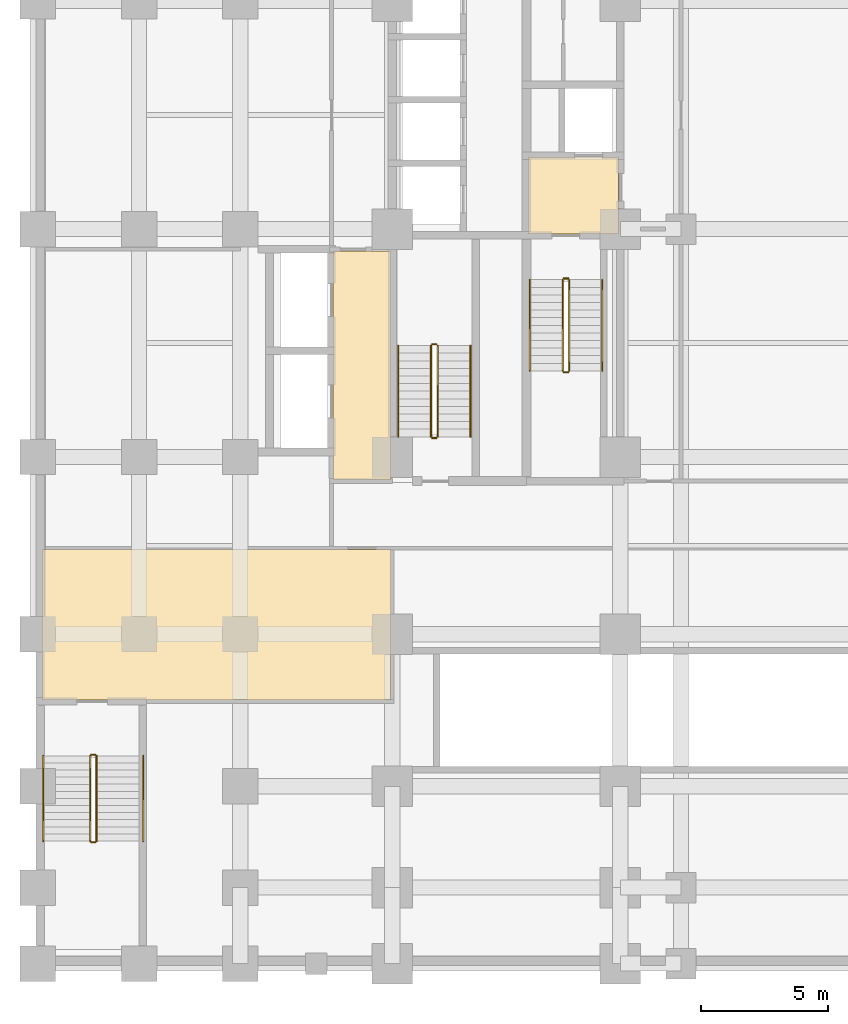
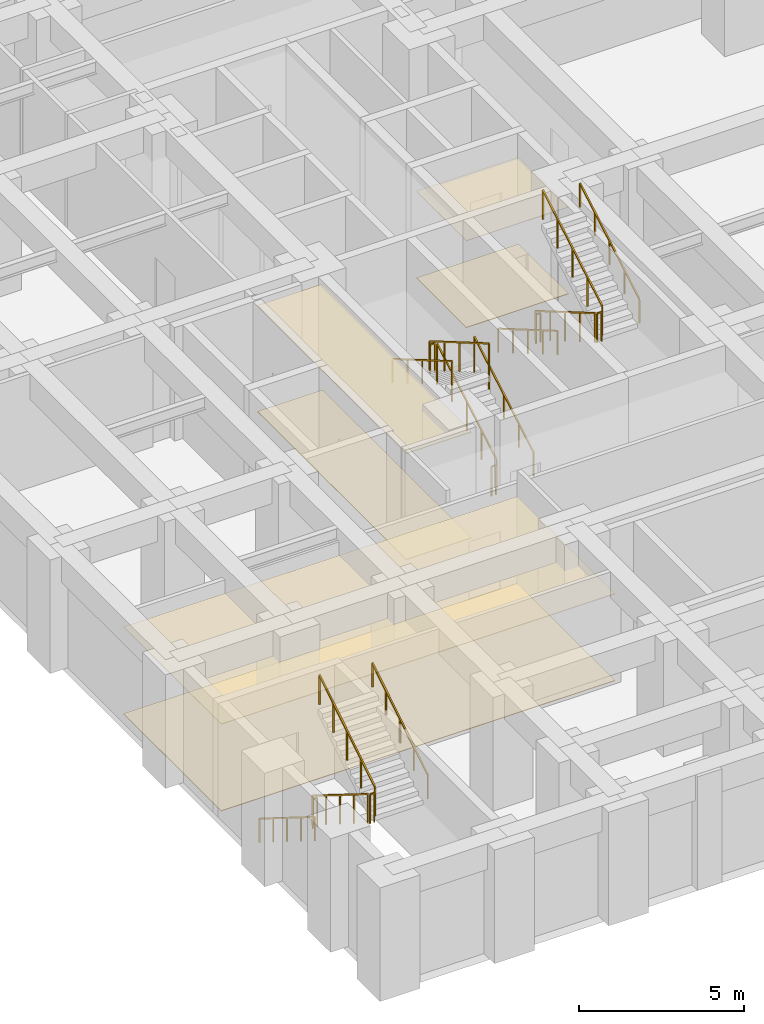
# One storey, part 9 of 14: 18 railings, 6 coverings.
"""IFC4 building model written with IfcOpenShell, lengths in metres."""

from ifc_helpers import new_model, si_unit, direction, frame, origin, origin_2d, place, context, subcontext, project, spatial, polyline, rectangle, outline, extrude, material, layer, layer_set, type_object, element, save


model = new_model("IFC4")

# Units and contexts
model_context = context("Model", 3, precision=1e-05, world=origin(), true_north=direction((0.0, 1.0)))
body_context = subcontext(model_context, "Body", "Model", "MODEL_VIEW")
ifc_project = project(units=[si_unit("LENGTHUNIT", "METRE"), si_unit("AREAUNIT", "SQUARE_METRE"), si_unit("VOLUMEUNIT", "CUBIC_METRE"), si_unit("PLANEANGLEUNIT", "RADIAN"), si_unit("MASSUNIT", "GRAM", prefix="KILO")], contexts=[model_context])

# Site, building, storey
site_placement = place(None, origin())
site = spatial("IfcSite", under=ifc_project, at=site_placement, CompositionType="ELEMENT")
building_placement = place(site_placement, origin())
building = spatial("IfcBuilding", under=site, at=building_placement, Name="Zulmaris Gate Convention Tower", CompositionType="ELEMENT")
storey_placement = place(building_placement, frame((0.0, 0.0, -4.550048828125)))
storey = spatial("IfcBuildingStorey", under=building, at=storey_placement, Name="B1", CompositionType="ELEMENT", Elevation=-4.550048828125)

# Coverings
ifc_material_1 = material(Name="Mineral Fibre Acoustic Ceiling Tile")
ifc_layer_1 = layer(ifc_material_1, 0.02001953125, Name="Mineral Fibre Acoustic Ceiling Tile")
ifc_layer_set_1 = layer_set([ifc_layer_1], Name="Mineral Fibre Acoustic Ceiling Tile")
covering_type_1 = type_object("IfcCoveringType", Name="CLG-ACOUSTIC-600", PredefinedType="CEILING", material=ifc_layer_set_1)
covering_1_placement = place(storey_placement, frame((0.0, 0.0, 3.2099609375)))
element("IfcCovering", 1, at=covering_1_placement, inside=storey, type_object=covering_type_1, Name="CLG-B1-R03", PredefinedType="CEILING", context=body_context, shape_type="SweptSolid", body=[
    extrude(outline(polyline([(-14.639892578125, -0.18994140625), (-11.06005859375, -0.18994140625), (-11.06005859375, 2.840087890625), (-14.639892578125, 2.840087890625), (-14.639892578125, -0.18994140625)])), origin(), (0.0, 0.0, 1.0), 0.02001953125),
])
covering_2_placement = place(storey_placement, frame((0.0, 0.0, 3.920166015625)))
element("IfcCovering", 2, at=covering_2_placement, inside=storey, type_object=covering_type_1, Name="CLG-B1-R25", PredefinedType="CEILING", context=body_context, shape_type="SweptSolid", body=[
    extrude(outline(polyline([(-22.340087890625, -9.889892578125), (-20.06005859375, -9.889892578125), (-20.06005859375, -0.860107421875), (-22.340087890625, -0.860107421875), (-22.340087890625, -9.889892578125)])), origin(), (0.0, 0.0, 1.0), 0.019775390625),
])
covering_3_placement = place(storey_placement, frame((0.0, 0.0, 3.2099609375)))
element("IfcCovering", 3, at=covering_3_placement, inside=storey, type_object=covering_type_1, Name="CLG-B1-R36", PredefinedType="CEILING", context=body_context, shape_type="SweptSolid", body=[
    extrude(outline(polyline([(-33.840087890625, -18.590087890625), (-20.06005859375, -18.590087890625), (-20.06005859375, -12.659912109375), (-33.840087890625, -12.659912109375), (-33.840087890625, -18.590087890625)])), origin(), (0.0, 0.0, 1.0), 0.02001953125),
])
ifc_material_2 = material(Name="Woven Acoustic Wool Carpet Tile")
ifc_layer_2 = layer(ifc_material_2, 0.02001953125, Name="Woven Acoustic Wool Carpet Tile")
ifc_layer_set_2 = layer_set([ifc_layer_2], Name="Woven Acoustic Wool Carpet Tile")
covering_type_2 = type_object("IfcCoveringType", Name="FLR-CARPET-12", PredefinedType="FLOORING", material=ifc_layer_set_2)
covering_4_placement = place(storey_placement, origin())
element("IfcCovering", 4, at=covering_4_placement, inside=storey, type_object=covering_type_2, Name="FLR-B1-R03", PredefinedType="FLOORING", context=body_context, shape_type="SweptSolid", body=[
    extrude(outline(polyline([(-14.639892578125, -0.18994140625), (-11.06005859375, -0.18994140625), (-11.06005859375, 2.840087890625), (-14.639892578125, 2.840087890625), (-14.639892578125, -0.18994140625)])), origin(), (0.0, 0.0, 1.0), 0.02001953125),
])
covering_5_placement = place(storey_placement, origin())
element("IfcCovering", 5, at=covering_5_placement, inside=storey, type_object=covering_type_2, Name="FLR-B1-R25", PredefinedType="FLOORING", context=body_context, shape_type="SweptSolid", body=[
    extrude(outline(polyline([(-22.340087890625, -9.889892578125), (-20.06005859375, -9.889892578125), (-20.06005859375, -0.860107421875), (-22.340087890625, -0.860107421875), (-22.340087890625, -9.889892578125)])), origin(), (0.0, 0.0, 1.0), 0.02001953125),
])
covering_6_placement = place(storey_placement, origin())
element("IfcCovering", 6, at=covering_6_placement, inside=storey, type_object=covering_type_2, Name="FLR-B1-R36", PredefinedType="FLOORING", context=body_context, shape_type="SweptSolid", body=[
    extrude(outline(polyline([(-33.840087890625, -18.590087890625), (-20.06005859375, -18.590087890625), (-20.06005859375, -12.659912109375), (-33.840087890625, -12.659912109375), (-33.840087890625, -18.590087890625)])), origin(), (0.0, 0.0, 1.0), 0.02001953125),
])

# Railings
ifc_material_3 = material(Name="Painted Galvanised Steel", Category="steel")
railing_type_1 = type_object("IfcRailingType", Name="RL-STG-1150", PredefinedType="GUARDRAIL", material=ifc_material_3)
railing_1_placement = place(storey_placement, frame((-13.27001953125, -2.0, 0.175048828125)))
element("IfcRailing", 7, at=railing_1_placement, inside=storey, type_object=railing_type_1, Name="B1 ST-1 stair guard 1", PredefinedType="GUARDRAIL", context=body_context, shape_type="SweptSolid", body=[
    extrude(rectangle(XDim=0.048095703125, YDim=0.048095703125, at=origin_2d()), frame((0.0, 0.0, 1.076171875), z_axis=(0.0, -0.863774651768, 0.503878309678), x_axis=(1.0, 0.0, 0.0)), (0.0, 0.0, 1.0), 4.16796875),
    extrude(rectangle(XDim=0.0419921875, YDim=0.0419921875, at=origin_2d()), origin(), (0.0, 0.0, 1.0), 1.052001953125),
    extrude(rectangle(XDim=0.0419921875, YDim=0.0419921875, at=origin_2d()), frame((0.0, -0.89990234375, 0.52490234375)), (0.0, 0.0, 1.0), 1.052001953125),
    extrude(rectangle(XDim=0.0419921875, YDim=0.0419921875, at=origin_2d()), frame((0.0, -1.800048828125, 1.050048828125)), (0.0, 0.0, 1.0), 1.052001953125),
    extrude(rectangle(XDim=0.0419921875, YDim=0.0419921875, at=origin_2d()), frame((0.0, -2.7001953125, 1.5751953125)), (0.0, 0.0, 1.0), 1.052001953125),
    extrude(rectangle(XDim=0.0419921875, YDim=0.0419921875, at=origin_2d()), frame((0.0, -3.60009765625, 2.10009765625)), (0.0, 0.0, 1.0), 1.052001953125),
])
railing_2_placement = place(storey_placement, frame((-13.219970703125, -5.64990234375, 2.275146484375)))
element("IfcRailing", 8, at=railing_2_placement, inside=storey, type_object=railing_type_1, Name="B1 ST-1 stair guard 2", PredefinedType="GUARDRAIL", context=body_context, shape_type="SweptSolid", body=[
    extrude(rectangle(XDim=0.048095703125, YDim=0.048095703125, at=origin_2d()), frame((0.0, 0.0, 1.076171875), z_axis=(1.0, 0.0, 0.0), x_axis=(0.0, 1.0, 0.0)), (0.0, 0.0, 1.0), 0.159912109375),
    extrude(rectangle(XDim=0.0419921875, YDim=0.0419921875, at=origin_2d()), origin(), (0.0, 0.0, 1.0), 1.052001953125),
    extrude(rectangle(XDim=0.0419921875, YDim=0.0419921875, at=origin_2d()), frame((0.159912109375, 0.0, 0.0)), (0.0, 0.0, 1.0), 1.052001953125),
])
railing_3_placement = place(storey_placement, frame((-13.010009765625, -5.60009765625, 2.449951171875)))
element("IfcRailing", 9, at=railing_3_placement, inside=storey, type_object=railing_type_1, Name="B1 ST-1 stair guard 3", PredefinedType="GUARDRAIL", context=body_context, shape_type="SweptSolid", body=[
    extrude(rectangle(XDim=0.048095703125, YDim=0.048095703125, at=origin_2d()), frame((0.0, 0.0, 1.076171875), z_axis=(0.0, 0.863774651768, 0.503878309678), x_axis=(-1.0, 0.0, 0.0)), (0.0, 0.0, 1.0), 4.16796875),
    extrude(rectangle(XDim=0.0419921875, YDim=0.0419921875, at=origin_2d()), origin(), (0.0, 0.0, 1.0), 1.052001953125),
    extrude(rectangle(XDim=0.0419921875, YDim=0.0419921875, at=origin_2d()), frame((0.0, 0.89990234375, 0.52490234375)), (0.0, 0.0, 1.0), 1.052001953125),
    extrude(rectangle(XDim=0.0419921875, YDim=0.0419921875, at=origin_2d()), frame((0.0, 1.800048828125, 1.050048828125)), (0.0, 0.0, 1.0), 1.052001953125),
    extrude(rectangle(XDim=0.0419921875, YDim=0.0419921875, at=origin_2d()), frame((0.0, 2.7001953125, 1.5751953125)), (0.0, 0.0, 1.0), 1.052001953125),
    extrude(rectangle(XDim=0.0419921875, YDim=0.0419921875, at=origin_2d()), frame((0.0, 3.60009765625, 2.10009765625)), (0.0, 0.0, 1.0), 1.052001953125),
])
railing_4_placement = place(storey_placement, frame((-13.219970703125, -1.949951171875, 0.0)))
element("IfcRailing", 10, at=railing_4_placement, inside=storey, type_object=railing_type_1, Name="B1 ST-1 stair guard 4", PredefinedType="GUARDRAIL", context=body_context, shape_type="SweptSolid", body=[
    extrude(rectangle(XDim=0.048095703125, YDim=0.048095703125, at=origin_2d()), frame((0.0, 0.0, 1.076171875), z_axis=(1.0, 0.0, 0.0), x_axis=(0.0, 1.0, 0.0)), (0.0, 0.0, 1.0), 0.159912109375),
    extrude(rectangle(XDim=0.0419921875, YDim=0.0419921875, at=origin_2d()), origin(), (0.0, 0.0, 1.0), 1.052001953125),
    extrude(rectangle(XDim=0.0419921875, YDim=0.0419921875, at=origin_2d()), frame((0.159912109375, 0.0, 0.0)), (0.0, 0.0, 1.0), 1.052001953125),
])
railing_5_placement = place(storey_placement, frame((-18.2099609375, -8.199951171875, 0.175048828125)))
element("IfcRailing", 11, at=railing_5_placement, inside=storey, type_object=railing_type_1, Name="B1 ST-3 stair guard 1", PredefinedType="GUARDRAIL", context=body_context, shape_type="SweptSolid", body=[
    extrude(rectangle(XDim=0.048095703125, YDim=0.048095703125, at=origin_2d()), frame((0.0, 0.0, 1.076171875), z_axis=(0.0, 0.863759778359, 0.503903805591), x_axis=(-1.0, 0.0, 0.0)), (0.0, 0.0, 1.0), 4.167724609375),
    extrude(rectangle(XDim=0.0419921875, YDim=0.0419921875, at=origin_2d()), origin(), (0.0, 0.0, 1.0), 1.052001953125),
    extrude(rectangle(XDim=0.0419921875, YDim=0.0419921875, at=origin_2d()), frame((0.0, 0.89990234375, 0.52490234375)), (0.0, 0.0, 1.0), 1.052001953125),
    extrude(rectangle(XDim=0.0419921875, YDim=0.0419921875, at=origin_2d()), frame((0.0, 1.7998046875, 1.050048828125)), (0.0, 0.0, 1.0), 1.052001953125),
    extrude(rectangle(XDim=0.0419921875, YDim=0.0419921875, at=origin_2d()), frame((0.0, 2.699951171875, 1.5751953125)), (0.0, 0.0, 1.0), 1.052001953125),
    extrude(rectangle(XDim=0.0419921875, YDim=0.0419921875, at=origin_2d()), frame((0.0, 3.599853515625, 2.10009765625)), (0.0, 0.0, 1.0), 1.052001953125),
])
railing_6_placement = place(storey_placement, frame((-18.260009765625, -4.550048828125, 2.275146484375)))
element("IfcRailing", 12, at=railing_6_placement, inside=storey, type_object=railing_type_1, Name="B1 ST-3 stair guard 2", PredefinedType="GUARDRAIL", context=body_context, shape_type="SweptSolid", body=[
    extrude(rectangle(XDim=0.048095703125, YDim=0.048095703125, at=origin_2d()), frame((0.0, 0.0, 1.076171875), z_axis=(-1.0, 0.0, 0.0), x_axis=(0.0, -1.0, 0.0)), (0.0, 0.0, 1.0), 0.159912109375),
    extrude(rectangle(XDim=0.0419921875, YDim=0.0419921875, at=origin_2d()), origin(), (0.0, 0.0, 1.0), 1.052001953125),
    extrude(rectangle(XDim=0.0419921875, YDim=0.0419921875, at=origin_2d()), frame((-0.159912109375, 0.0, 0.0)), (0.0, 0.0, 1.0), 1.052001953125),
])
railing_7_placement = place(storey_placement, frame((-18.469970703125, -4.60009765625, 2.449951171875)))
element("IfcRailing", 13, at=railing_7_placement, inside=storey, type_object=railing_type_1, Name="B1 ST-3 stair guard 3", PredefinedType="GUARDRAIL", context=body_context, shape_type="SweptSolid", body=[
    extrude(rectangle(XDim=0.048095703125, YDim=0.048095703125, at=origin_2d()), frame((0.0, 0.0, 1.076171875), z_axis=(0.0, -0.863759778359, 0.503903805591), x_axis=(1.0, 0.0, 0.0)), (0.0, 0.0, 1.0), 4.167724609375),
    extrude(rectangle(XDim=0.0419921875, YDim=0.0419921875, at=origin_2d()), origin(), (0.0, 0.0, 1.0), 1.052001953125),
    extrude(rectangle(XDim=0.0419921875, YDim=0.0419921875, at=origin_2d()), frame((0.0, -0.89990234375, 0.52490234375)), (0.0, 0.0, 1.0), 1.052001953125),
    extrude(rectangle(XDim=0.0419921875, YDim=0.0419921875, at=origin_2d()), frame((0.0, -1.7998046875, 1.050048828125)), (0.0, 0.0, 1.0), 1.052001953125),
    extrude(rectangle(XDim=0.0419921875, YDim=0.0419921875, at=origin_2d()), frame((0.0, -2.699951171875, 1.5751953125)), (0.0, 0.0, 1.0), 1.052001953125),
    extrude(rectangle(XDim=0.0419921875, YDim=0.0419921875, at=origin_2d()), frame((0.0, -3.599853515625, 2.10009765625)), (0.0, 0.0, 1.0), 1.052001953125),
])
railing_8_placement = place(storey_placement, frame((-18.260009765625, -8.25, 0.0)))
element("IfcRailing", 14, at=railing_8_placement, inside=storey, type_object=railing_type_1, Name="B1 ST-3 stair guard 4", PredefinedType="GUARDRAIL", context=body_context, shape_type="SweptSolid", body=[
    extrude(rectangle(XDim=0.048095703125, YDim=0.048095703125, at=origin_2d()), frame((0.0, 0.0, 1.076171875), z_axis=(-1.0, 0.0, 0.0), x_axis=(0.0, -1.0, 0.0)), (0.0, 0.0, 1.0), 0.159912109375),
    extrude(rectangle(XDim=0.0419921875, YDim=0.0419921875, at=origin_2d()), origin(), (0.0, 0.0, 1.0), 1.052001953125),
    extrude(rectangle(XDim=0.0419921875, YDim=0.0419921875, at=origin_2d()), frame((-0.159912109375, 0.0, 0.0)), (0.0, 0.0, 1.0), 1.052001953125),
])
railing_9_placement = place(storey_placement, frame((-31.929931640625, -20.800048828125, 0.175048828125)))
element("IfcRailing", 15, at=railing_9_placement, inside=storey, type_object=railing_type_1, Name="B1 ST-4 stair guard 1", PredefinedType="GUARDRAIL", context=body_context, shape_type="SweptSolid", body=[
    extrude(rectangle(XDim=0.048095703125, YDim=0.048095703125, at=origin_2d()), frame((0.0, 0.0, 1.076171875), z_axis=(0.0, -0.847977533471, 0.530032171408), x_axis=(1.0, 0.0, 0.0)), (0.0, 0.0, 1.0), 3.962158203125),
    extrude(rectangle(XDim=0.0419921875, YDim=0.0419921875, at=origin_2d()), origin(), (0.0, 0.0, 1.0), 1.052001953125),
    extrude(rectangle(XDim=0.0419921875, YDim=0.0419921875, at=origin_2d()), frame((0.0, -0.83984375, 0.52490234375)), (0.0, 0.0, 1.0), 1.052001953125),
    extrude(rectangle(XDim=0.0419921875, YDim=0.0419921875, at=origin_2d()), frame((0.0, -1.679931640625, 1.050048828125)), (0.0, 0.0, 1.0), 1.052001953125),
    extrude(rectangle(XDim=0.0419921875, YDim=0.0419921875, at=origin_2d()), frame((0.0, -2.52001953125, 1.5751953125)), (0.0, 0.0, 1.0), 1.052001953125),
    extrude(rectangle(XDim=0.0419921875, YDim=0.0419921875, at=origin_2d()), frame((0.0, -3.35986328125, 2.10009765625)), (0.0, 0.0, 1.0), 1.052001953125),
])
railing_10_placement = place(storey_placement, frame((-31.8798828125, -24.2099609375, 2.275146484375)))
element("IfcRailing", 16, at=railing_10_placement, inside=storey, type_object=railing_type_1, Name="B1 ST-4 stair guard 2", PredefinedType="GUARDRAIL", context=body_context, shape_type="SweptSolid", body=[
    extrude(rectangle(XDim=0.048095703125, YDim=0.048095703125, at=origin_2d()), frame((0.0, 0.0, 1.076171875), z_axis=(1.0, 0.0, 0.0), x_axis=(0.0, 1.0, 0.0)), (0.0, 0.0, 1.0), 0.14990234375),
    extrude(rectangle(XDim=0.0419921875, YDim=0.0419921875, at=origin_2d()), origin(), (0.0, 0.0, 1.0), 1.052001953125),
    extrude(rectangle(XDim=0.0419921875, YDim=0.0419921875, at=origin_2d()), frame((0.14990234375, 0.0, 0.0)), (0.0, 0.0, 1.0), 1.052001953125),
])
railing_11_placement = place(storey_placement, frame((-31.679931640625, -24.159912109375, 2.449951171875)))
element("IfcRailing", 17, at=railing_11_placement, inside=storey, type_object=railing_type_1, Name="B1 ST-4 stair guard 3", PredefinedType="GUARDRAIL", context=body_context, shape_type="SweptSolid", body=[
    extrude(rectangle(XDim=0.048095703125, YDim=0.048095703125, at=origin_2d()), frame((0.0, 0.0, 1.076171875), z_axis=(0.0, 0.847977533471, 0.530032171408), x_axis=(-1.0, 0.0, 0.0)), (0.0, 0.0, 1.0), 3.962158203125),
    extrude(rectangle(XDim=0.0419921875, YDim=0.0419921875, at=origin_2d()), origin(), (0.0, 0.0, 1.0), 1.052001953125),
    extrude(rectangle(XDim=0.0419921875, YDim=0.0419921875, at=origin_2d()), frame((0.0, 0.83984375, 0.52490234375)), (0.0, 0.0, 1.0), 1.052001953125),
    extrude(rectangle(XDim=0.0419921875, YDim=0.0419921875, at=origin_2d()), frame((0.0, 1.679931640625, 1.050048828125)), (0.0, 0.0, 1.0), 1.052001953125),
    extrude(rectangle(XDim=0.0419921875, YDim=0.0419921875, at=origin_2d()), frame((0.0, 2.52001953125, 1.5751953125)), (0.0, 0.0, 1.0), 1.052001953125),
    extrude(rectangle(XDim=0.0419921875, YDim=0.0419921875, at=origin_2d()), frame((0.0, 3.35986328125, 2.10009765625)), (0.0, 0.0, 1.0), 1.052001953125),
])
railing_12_placement = place(storey_placement, frame((-31.8798828125, -20.75, 0.0)))
element("IfcRailing", 18, at=railing_12_placement, inside=storey, type_object=railing_type_1, Name="B1 ST-4 stair guard 4", PredefinedType="GUARDRAIL", context=body_context, shape_type="SweptSolid", body=[
    extrude(rectangle(XDim=0.048095703125, YDim=0.048095703125, at=origin_2d()), frame((0.0, 0.0, 1.076171875), z_axis=(1.0, 0.0, 0.0), x_axis=(0.0, 1.0, 0.0)), (0.0, 0.0, 1.0), 0.14990234375),
    extrude(rectangle(XDim=0.0419921875, YDim=0.0419921875, at=origin_2d()), origin(), (0.0, 0.0, 1.0), 1.052001953125),
    extrude(rectangle(XDim=0.0419921875, YDim=0.0419921875, at=origin_2d()), frame((0.14990234375, 0.0, 0.0)), (0.0, 0.0, 1.0), 1.052001953125),
])
ifc_material_4 = material(Name="Brushed Stainless Steel", Category="steel")
railing_type_2 = type_object("IfcRailingType", Name="RL-STH-900", PredefinedType="HANDRAIL", material=ifc_material_4)
railing_13_placement = place(storey_placement, frame((-14.570068359375, -2.0, 0.175048828125)))
element("IfcRailing", 19, at=railing_13_placement, inside=storey, type_object=railing_type_2, Name="B1 ST-1 stair handrail 1", PredefinedType="HANDRAIL", context=body_context, shape_type="SweptSolid", body=[
    extrude(rectangle(XDim=0.048095703125, YDim=0.048095703125, at=origin_2d()), frame((0.0, 0.0, 0.8759765625), z_axis=(0.0, -0.863774651768, 0.503878309678), x_axis=(1.0, 0.0, 0.0)), (0.0, 0.0, 1.0), 4.16796875),
    extrude(rectangle(XDim=0.0419921875, YDim=0.0419921875, at=origin_2d()), origin(), (0.0, 0.0, 1.0), 0.851806640625),
    extrude(rectangle(XDim=0.0419921875, YDim=0.0419921875, at=origin_2d()), frame((0.0, -0.89990234375, 0.52490234375)), (0.0, 0.0, 1.0), 0.851806640625),
    extrude(rectangle(XDim=0.0419921875, YDim=0.0419921875, at=origin_2d()), frame((0.0, -1.800048828125, 1.050048828125)), (0.0, 0.0, 1.0), 0.851806640625),
    extrude(rectangle(XDim=0.0419921875, YDim=0.0419921875, at=origin_2d()), frame((0.0, -2.7001953125, 1.5751953125)), (0.0, 0.0, 1.0), 0.851806640625),
    extrude(rectangle(XDim=0.0419921875, YDim=0.0419921875, at=origin_2d()), frame((0.0, -3.60009765625, 2.10009765625)), (0.0, 0.0, 1.0), 0.851806640625),
])
railing_14_placement = place(storey_placement, frame((-11.7099609375, -5.60009765625, 2.449951171875)))
element("IfcRailing", 20, at=railing_14_placement, inside=storey, type_object=railing_type_2, Name="B1 ST-1 stair handrail 2", PredefinedType="HANDRAIL", context=body_context, shape_type="SweptSolid", body=[
    extrude(rectangle(XDim=0.048095703125, YDim=0.048095703125, at=origin_2d()), frame((0.0, 0.0, 0.8759765625), z_axis=(0.0, 0.863774651768, 0.503878309678), x_axis=(-1.0, 0.0, 0.0)), (0.0, 0.0, 1.0), 4.16796875),
    extrude(rectangle(XDim=0.0419921875, YDim=0.0419921875, at=origin_2d()), origin(), (0.0, 0.0, 1.0), 0.851806640625),
    extrude(rectangle(XDim=0.0419921875, YDim=0.0419921875, at=origin_2d()), frame((0.0, 0.89990234375, 0.52490234375)), (0.0, 0.0, 1.0), 0.851806640625),
    extrude(rectangle(XDim=0.0419921875, YDim=0.0419921875, at=origin_2d()), frame((0.0, 1.800048828125, 1.050048828125)), (0.0, 0.0, 1.0), 0.851806640625),
    extrude(rectangle(XDim=0.0419921875, YDim=0.0419921875, at=origin_2d()), frame((0.0, 2.7001953125, 1.5751953125)), (0.0, 0.0, 1.0), 0.851806640625),
    extrude(rectangle(XDim=0.0419921875, YDim=0.0419921875, at=origin_2d()), frame((0.0, 3.60009765625, 2.10009765625)), (0.0, 0.0, 1.0), 0.851806640625),
])
railing_15_placement = place(storey_placement, frame((-16.909912109375, -8.199951171875, 0.175048828125)))
element("IfcRailing", 21, at=railing_15_placement, inside=storey, type_object=railing_type_2, Name="B1 ST-3 stair handrail 1", PredefinedType="HANDRAIL", context=body_context, shape_type="SweptSolid", body=[
    extrude(rectangle(XDim=0.048095703125, YDim=0.048095703125, at=origin_2d()), frame((0.0, 0.0, 0.8759765625), z_axis=(0.0, 0.863759778359, 0.503903805591), x_axis=(-1.0, 0.0, 0.0)), (0.0, 0.0, 1.0), 4.167724609375),
    extrude(rectangle(XDim=0.0419921875, YDim=0.0419921875, at=origin_2d()), origin(), (0.0, 0.0, 1.0), 0.851806640625),
    extrude(rectangle(XDim=0.0419921875, YDim=0.0419921875, at=origin_2d()), frame((0.0, 0.89990234375, 0.52490234375)), (0.0, 0.0, 1.0), 0.851806640625),
    extrude(rectangle(XDim=0.0419921875, YDim=0.0419921875, at=origin_2d()), frame((0.0, 1.7998046875, 1.050048828125)), (0.0, 0.0, 1.0), 0.851806640625),
    extrude(rectangle(XDim=0.0419921875, YDim=0.0419921875, at=origin_2d()), frame((0.0, 2.699951171875, 1.5751953125)), (0.0, 0.0, 1.0), 0.851806640625),
    extrude(rectangle(XDim=0.0419921875, YDim=0.0419921875, at=origin_2d()), frame((0.0, 3.599853515625, 2.10009765625)), (0.0, 0.0, 1.0), 0.851806640625),
])
railing_16_placement = place(storey_placement, frame((-19.77001953125, -4.60009765625, 2.449951171875)))
element("IfcRailing", 22, at=railing_16_placement, inside=storey, type_object=railing_type_2, Name="B1 ST-3 stair handrail 2", PredefinedType="HANDRAIL", context=body_context, shape_type="SweptSolid", body=[
    extrude(rectangle(XDim=0.048095703125, YDim=0.048095703125, at=origin_2d()), frame((0.0, 0.0, 0.8759765625), z_axis=(0.0, -0.863759778359, 0.503903805591), x_axis=(1.0, 0.0, 0.0)), (0.0, 0.0, 1.0), 4.167724609375),
    extrude(rectangle(XDim=0.0419921875, YDim=0.0419921875, at=origin_2d()), origin(), (0.0, 0.0, 1.0), 0.851806640625),
    extrude(rectangle(XDim=0.0419921875, YDim=0.0419921875, at=origin_2d()), frame((0.0, -0.89990234375, 0.52490234375)), (0.0, 0.0, 1.0), 0.851806640625),
    extrude(rectangle(XDim=0.0419921875, YDim=0.0419921875, at=origin_2d()), frame((0.0, -1.7998046875, 1.050048828125)), (0.0, 0.0, 1.0), 0.851806640625),
    extrude(rectangle(XDim=0.0419921875, YDim=0.0419921875, at=origin_2d()), frame((0.0, -2.699951171875, 1.5751953125)), (0.0, 0.0, 1.0), 0.851806640625),
    extrude(rectangle(XDim=0.0419921875, YDim=0.0419921875, at=origin_2d()), frame((0.0, -3.599853515625, 2.10009765625)), (0.0, 0.0, 1.0), 0.851806640625),
])
railing_17_placement = place(storey_placement, frame((-33.780029296875, -20.800048828125, 0.175048828125)))
element("IfcRailing", 23, at=railing_17_placement, inside=storey, type_object=railing_type_2, Name="B1 ST-4 stair handrail 1", PredefinedType="HANDRAIL", context=body_context, shape_type="SweptSolid", body=[
    extrude(rectangle(XDim=0.048095703125, YDim=0.048095703125, at=origin_2d()), frame((0.0, 0.0, 0.8759765625), z_axis=(0.0, -0.847977533471, 0.530032171408), x_axis=(1.0, 0.0, 0.0)), (0.0, 0.0, 1.0), 3.962158203125),
    extrude(rectangle(XDim=0.0419921875, YDim=0.0419921875, at=origin_2d()), origin(), (0.0, 0.0, 1.0), 0.851806640625),
    extrude(rectangle(XDim=0.0419921875, YDim=0.0419921875, at=origin_2d()), frame((0.0, -0.83984375, 0.52490234375)), (0.0, 0.0, 1.0), 0.851806640625),
    extrude(rectangle(XDim=0.0419921875, YDim=0.0419921875, at=origin_2d()), frame((0.0, -1.679931640625, 1.050048828125)), (0.0, 0.0, 1.0), 0.851806640625),
    extrude(rectangle(XDim=0.0419921875, YDim=0.0419921875, at=origin_2d()), frame((0.0, -2.52001953125, 1.5751953125)), (0.0, 0.0, 1.0), 0.851806640625),
    extrude(rectangle(XDim=0.0419921875, YDim=0.0419921875, at=origin_2d()), frame((0.0, -3.35986328125, 2.10009765625)), (0.0, 0.0, 1.0), 0.851806640625),
])
railing_18_placement = place(storey_placement, frame((-29.830078125, -24.159912109375, 2.449951171875)))
element("IfcRailing", 24, at=railing_18_placement, inside=storey, type_object=railing_type_2, Name="B1 ST-4 stair handrail 2", PredefinedType="HANDRAIL", context=body_context, shape_type="SweptSolid", body=[
    extrude(rectangle(XDim=0.048095703125, YDim=0.048095703125, at=origin_2d()), frame((0.0, 0.0, 0.8759765625), z_axis=(0.0, 0.847977533471, 0.530032171408), x_axis=(-1.0, 0.0, 0.0)), (0.0, 0.0, 1.0), 3.962158203125),
    extrude(rectangle(XDim=0.0419921875, YDim=0.0419921875, at=origin_2d()), origin(), (0.0, 0.0, 1.0), 0.851806640625),
    extrude(rectangle(XDim=0.0419921875, YDim=0.0419921875, at=origin_2d()), frame((0.0, 0.83984375, 0.52490234375)), (0.0, 0.0, 1.0), 0.851806640625),
    extrude(rectangle(XDim=0.0419921875, YDim=0.0419921875, at=origin_2d()), frame((0.0, 1.679931640625, 1.050048828125)), (0.0, 0.0, 1.0), 0.851806640625),
    extrude(rectangle(XDim=0.0419921875, YDim=0.0419921875, at=origin_2d()), frame((0.0, 2.52001953125, 1.5751953125)), (0.0, 0.0, 1.0), 0.851806640625),
    extrude(rectangle(XDim=0.0419921875, YDim=0.0419921875, at=origin_2d()), frame((0.0, 3.35986328125, 2.10009765625)), (0.0, 0.0, 1.0), 0.851806640625),
])

save(model, "model.ifc")
